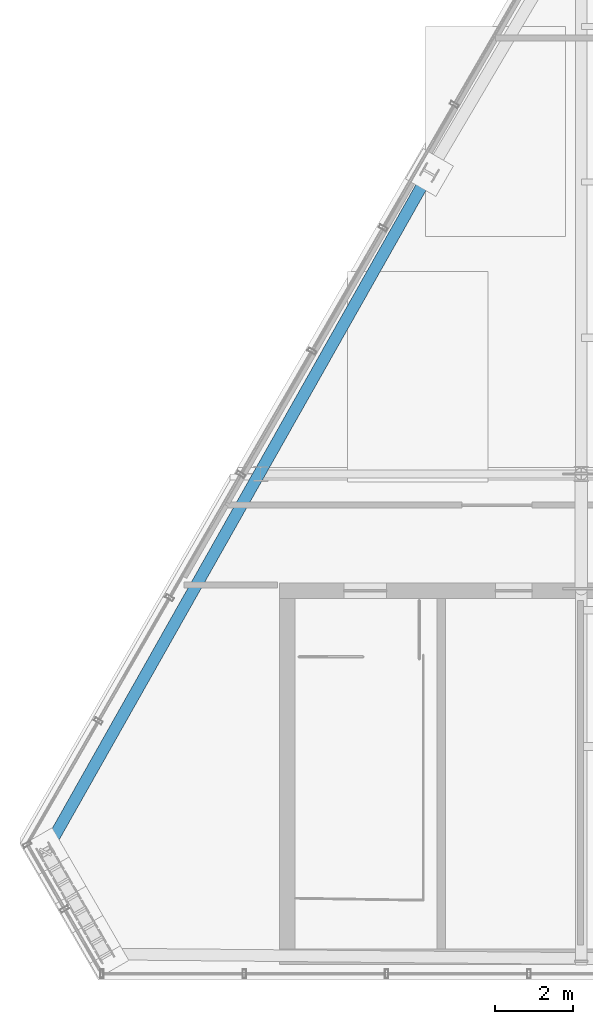
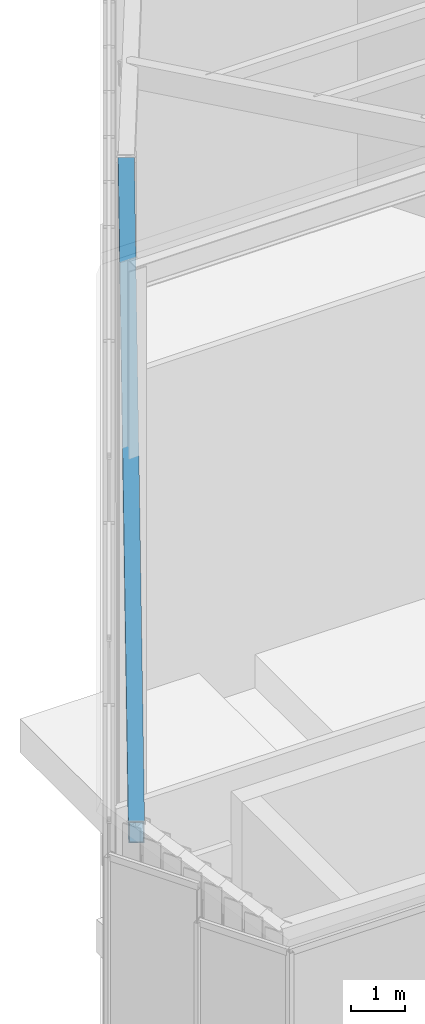
# One storey, part 8 of 36: 1 member.
"""IFC4 building model written with IfcOpenShell, lengths in metres."""

from ifc_helpers import new_model, si_unit, direction, frame, origin, origin_2d, place, context, subcontext, project, spatial, hollow_rectangle, extrude, material, material_profile, profile_set, type_object, element, save


model = new_model("IFC4")

# Units and contexts
model_context = context("Model", 3, precision=1e-05, world=origin(), true_north=direction((0.0, 1.0)))
body_context = subcontext(model_context, "Body", "Model", "MODEL_VIEW")
ifc_project = project(units=[si_unit("LENGTHUNIT", "METRE"), si_unit("AREAUNIT", "SQUARE_METRE"), si_unit("VOLUMEUNIT", "CUBIC_METRE"), si_unit("PLANEANGLEUNIT", "RADIAN"), si_unit("MASSUNIT", "GRAM", prefix="KILO")], contexts=[model_context])

# Site, building, storey
site_placement = place(None, origin())
site = spatial("IfcSite", under=ifc_project, at=site_placement, CompositionType="ELEMENT")
building_placement = place(site_placement, origin())
building = spatial("IfcBuilding", under=site, at=building_placement, Name="Ndaravel Arena Tower", CompositionType="ELEMENT")
storey_placement = place(building_placement, frame((0.0, 0.0, 308.10009765625)))
storey = spatial("IfcBuildingStorey", under=building, at=storey_placement, Name="Roof Crown", CompositionType="ELEMENT", Elevation=308.10009765625)

# Member
ifc_material = material(Name="Steel S355", Category="steel")
ifc_material_profile = material_profile(ifc_material, hollow_rectangle(XDim=0.300048828125, YDim=0.5, WallThickness=0.02001953125, at=origin_2d()), Name="RHS 500x300x20")
ifc_profile_set = profile_set([ifc_material_profile], Name="Steel S355")
member_type = type_object("IfcMemberType", Name="MEM-CRN-RAFTER", PredefinedType="RAFTER", material=ifc_profile_set)
member_placement = place(storey_placement, frame((30.2998046875, 25.745361328125, 15.4228515625), z_axis=(-0.491302642554, -0.869688305437, -0.047581139187), x_axis=(0.870674452062, -0.491859734606, 0.0)))
element("IfcMember", 1, at=member_placement, inside=storey, type_object=member_type, Name="Crown Eaves Ring Member CER-19", PredefinedType="RAFTER", context=body_context, shape_type="SweptSolid", body=[
    extrude(hollow_rectangle(XDim=0.300048828125, YDim=0.5, WallThickness=0.02001953125, at=origin_2d()), origin(), (0.0, 0.0, 1.0), 20.062255859375),
])

save(model, "model.ifc")
